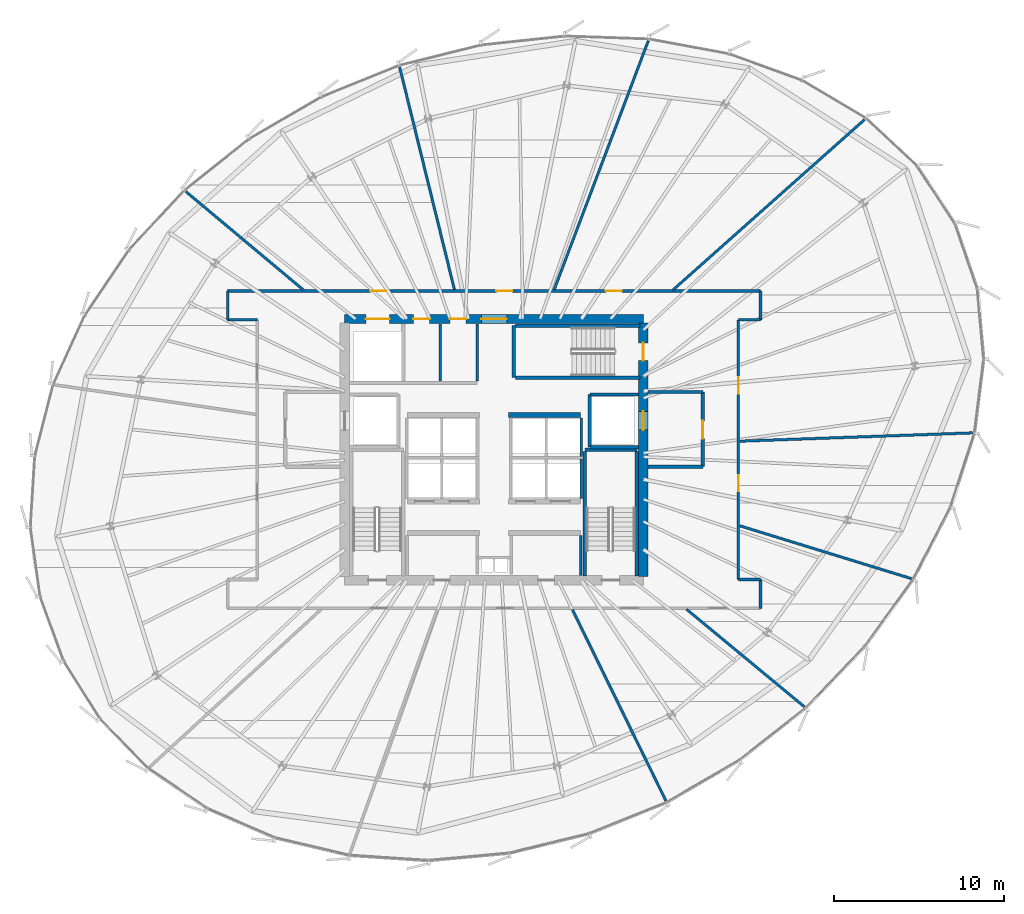
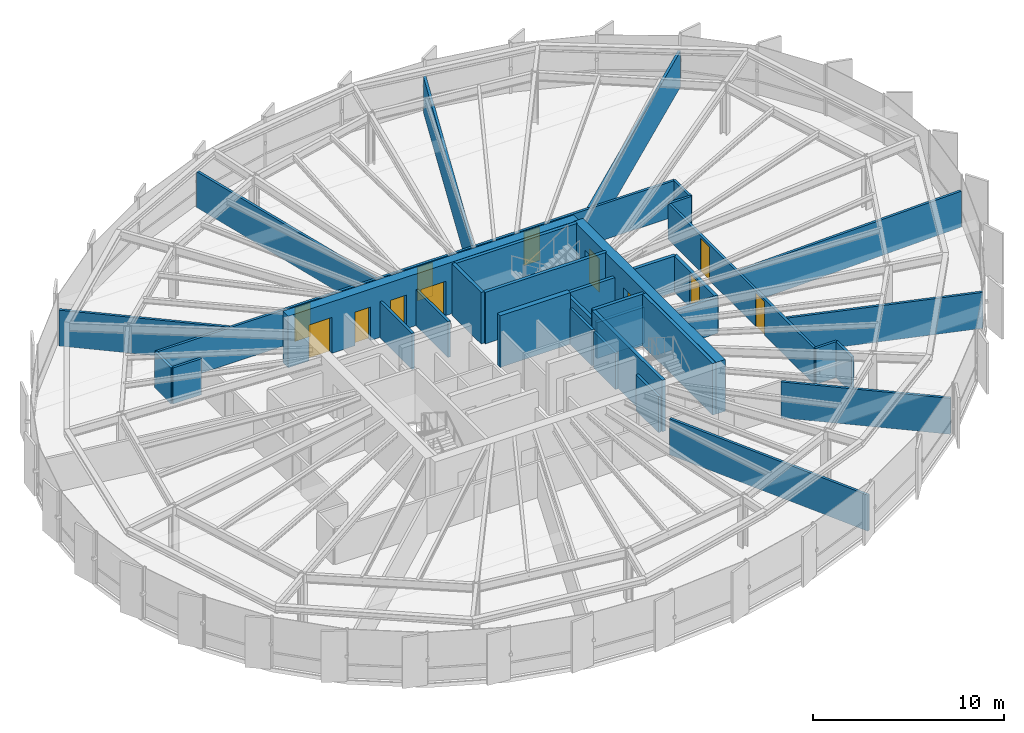
# One storey, part 30 of 35: 36 walls, 12 doors, 12 openings.
"""IFC4 building model written with IfcOpenShell, lengths in metres."""

from ifc_helpers import new_model, si_unit, direction, frame, frame_2d, origin, place, context, subcontext, project, spatial, rectangle, extrude, source, transform, mapped, material, layer, layer_set, type_object, element, fill, save


model = new_model("IFC4")

# Units and contexts
model_context = context("Model", 3, precision=1e-05, world=origin(), true_north=direction((0.0, 1.0)))
body_context = subcontext(model_context, "Body", "Model", "MODEL_VIEW")
ifc_project = project(units=[si_unit("LENGTHUNIT", "METRE"), si_unit("AREAUNIT", "SQUARE_METRE"), si_unit("VOLUMEUNIT", "CUBIC_METRE"), si_unit("PLANEANGLEUNIT", "RADIAN"), si_unit("MASSUNIT", "GRAM", prefix="KILO"), si_unit("THERMODYNAMICTEMPERATUREUNIT", "KELVIN")], contexts=[model_context])

# Site, building, storey
site_placement = place(None, origin())
site = spatial("IfcSite", under=ifc_project, at=site_placement, CompositionType="ELEMENT")
building_placement = place(site_placement, origin())
building = spatial("IfcBuilding", under=site, at=building_placement, Name="Kethvar Cultural Tower", CompositionType="ELEMENT")
storey_placement = place(building_placement, frame((0.0, 0.0, 139.449951171875)))
storey = spatial("IfcBuildingStorey", under=building, at=storey_placement, Name="L35", CompositionType="ELEMENT", Elevation=139.449951171875)

# Wall, openings, doors
ifc_material_1 = material(Name="Concrete C60/75", Category="concrete")
ifc_layer_1 = layer(ifc_material_1, 0.550048828125, Name="Concrete C60/75", Category="concrete")
ifc_layer_set_1 = layer_set([ifc_layer_1], Name="Concrete C60/75 (550 mm)")
wall_type_1 = type_object("IfcWallType", Name="WL-CORE-550", PredefinedType="SHEAR", material=ifc_layer_set_1)
wall_1_placement = place(storey_placement, frame((55.60009765625, 35.5, 0.0), z_axis=(0.0, 0.0, 1.0), x_axis=(-1.0, 0.0, 0.0)))
wall_1 = element("IfcWall", 1, at=wall_1_placement, inside=storey, type_object=wall_type_1, Name="L35 Core Shear Wall N", PredefinedType="SHEAR", context=body_context, shape_type="SweptSolid", body=[
    extrude(rectangle(XDim=17.60009765625, YDim=0.550048828125, at=frame_2d((8.800048828125, 0.0))), origin(), (0.0, 0.0, 1.0), 3.300048828125),
])
opening_1_placement = place(wall_1_placement, frame((8.050048828125, 0.0, 0.0)))
opening_1 = element("IfcOpeningElement", 2, at=opening_1_placement, cuts=wall_1, Name="Opening D-L35-LN", PredefinedType="OPENING", context=body_context, shape_type="SweptSolid", body=[
    extrude(rectangle(XDim=1.5, YDim=2.199951171875, at=frame_2d((0.75, 1.10009765625))), frame((0.0, 0.284912109375, 0.0), z_axis=(0.0, -1.0, 0.0), x_axis=(1.0, 0.0, 0.0)), (0.0, 0.0, 1.0), 0.570068359375),
])
opening_2_placement = place(wall_1_placement, frame((14.949951171875, 0.0, 0.0)))
opening_2 = element("IfcOpeningElement", 3, at=opening_2_placement, cuts=wall_1, Name="Opening LD-G1", PredefinedType="OPENING", context=body_context, shape_type="SweptSolid", body=[
    extrude(rectangle(XDim=1.39990234375, YDim=2.300048828125, at=frame_2d((0.699951171875, 1.14990234375))), frame((0.0, 0.284912109375, 0.0), z_axis=(0.0, -1.0, 0.0), x_axis=(1.0, 0.0, 0.0)), (0.0, 0.0, 1.0), 0.570068359375),
])
opening_3_placement = place(wall_1_placement, frame((12.60009765625, 0.0, 0.0)))
opening_3 = element("IfcOpeningElement", 4, at=opening_3_placement, cuts=wall_1, Name="Opening D-L35-W1", PredefinedType="OPENING", context=body_context, shape_type="SweptSolid", body=[
    extrude(rectangle(XDim=0.949951171875, YDim=2.14990234375, at=frame_2d((0.47509765625, 1.074951171875))), frame((0.0, 0.284912109375, 0.0), z_axis=(0.0, -1.0, 0.0), x_axis=(1.0, 0.0, 0.0)), (0.0, 0.0, 1.0), 0.570068359375),
])
opening_4_placement = place(wall_1_placement, frame((10.449951171875, 0.0, 0.0)))
opening_4 = element("IfcOpeningElement", 5, at=opening_4_placement, cuts=wall_1, Name="Opening D-L35-W2", PredefinedType="OPENING", context=body_context, shape_type="SweptSolid", body=[
    extrude(rectangle(XDim=0.949951171875, YDim=2.14990234375, at=frame_2d((0.47509765625, 1.074951171875))), frame((0.0, 0.284912109375, 0.0), z_axis=(0.0, -1.0, 0.0), x_axis=(1.0, 0.0, 0.0)), (0.0, 0.0, 1.0), 0.570068359375),
])
ifc_material_2 = material(Name="Architectural Oak Timber", Category="wood")
door_type_1 = type_object("IfcDoorType", Name="DR-DBL-FD60-1500", OperationType="DOUBLE_DOOR_SINGLE_SWING", PredefinedType="DOOR", material=ifc_material_2)
shared_shape_1 = source(origin(), body_context, "Body", "SweptSolid", [
    extrude(rectangle(XDim=1.5, YDim=2.199951171875, at=frame_2d((0.75, 1.10009765625))), frame((0.0, 0.02490234375, 0.0), z_axis=(0.0, -1.0, 0.0), x_axis=(1.0, 0.0, 0.0)), (0.0, 0.0, 1.0), 0.050048828125),
])
door_1_placement = place(opening_1_placement, origin())
door_1 = element("IfcDoor", 6, at=door_1_placement, inside=storey, type_object=door_type_1, Name="L35 Lift Lobby Concourse Door", OperationType="DOUBLE_DOOR_SINGLE_SWING", OverallHeight=2.199951171875, OverallWidth=1.5, PredefinedType="DOOR", context=body_context, shape_type="MappedRepresentation", body=[
    mapped(shared_shape_1, transform((0.0, 0.0, 0.0), scale=1.0)),
])
fill(opening_1, door_1)
ifc_material_3 = material(Name="Steel S355J2", Category="steel")
door_type_2 = type_object("IfcDoorType", Name="DR-LIFT-SLIDE-1400", OperationType="NOTDEFINED", PredefinedType="DOOR", material=ifc_material_3)
shared_shape_2 = source(origin(), body_context, "Body", "SweptSolid", [
    extrude(rectangle(XDim=1.39990234375, YDim=2.300048828125, at=frame_2d((0.699951171875, 1.14990234375))), frame((0.0, 0.02490234375, 0.0), z_axis=(0.0, -1.0, 0.0), x_axis=(1.0, 0.0, 0.0)), (0.0, 0.0, 1.0), 0.050048828125),
])
door_2_placement = place(opening_2_placement, origin())
door_2 = element("IfcDoor", 7, at=door_2_placement, inside=storey, type_object=door_type_2, Name="L35 Goods Lift Landing Door", OperationType="SLIDING_TO_RIGHT", OverallHeight=2.300048828125, OverallWidth=1.39990234375, PredefinedType="DOOR", context=body_context, shape_type="MappedRepresentation", body=[
    mapped(shared_shape_2, transform((0.0, 0.0, 0.0), scale=1.0)),
])
fill(opening_2, door_2)
door_type_3 = type_object("IfcDoorType", Name="DR-FD30-950", OperationType="NOTDEFINED", PredefinedType="DOOR", material=ifc_material_2)
shared_shape_3 = source(origin(), body_context, "Body", "SweptSolid", [
    extrude(rectangle(XDim=0.949951171875, YDim=2.14990234375, at=frame_2d((0.47509765625, 1.074951171875))), frame((0.0, 0.02490234375, 0.0), z_axis=(0.0, -1.0, 0.0), x_axis=(1.0, 0.0, 0.0)), (0.0, 0.0, 1.0), 0.050048828125),
])
door_3_placement = place(opening_3_placement, origin())
door_3 = element("IfcDoor", 8, at=door_3_placement, inside=storey, type_object=door_type_3, Name="L35 Accessible Washroom Door", OperationType="SINGLE_SWING_LEFT", OverallHeight=2.14990234375, OverallWidth=0.949951171875, PredefinedType="DOOR", context=body_context, shape_type="MappedRepresentation", body=[
    mapped(shared_shape_3, transform((0.0, 0.0, 0.0), scale=1.0)),
])
fill(opening_3, door_3)
door_4_placement = place(opening_4_placement, origin())
door_4 = element("IfcDoor", 9, at=door_4_placement, inside=storey, type_object=door_type_3, Name="L35 Public Washroom Door", OperationType="SINGLE_SWING_RIGHT", OverallHeight=2.14990234375, OverallWidth=0.949951171875, PredefinedType="DOOR", context=body_context, shape_type="MappedRepresentation", body=[
    mapped(shared_shape_3, transform((0.0, 0.0, 0.0), scale=1.0)),
])
fill(opening_4, door_4)

wall_2_placement = place(storey_placement, frame((55.60009765625, 20.340087890625, 0.0), z_axis=(0.0, 0.0, 1.0), x_axis=(0.0, 1.0, 0.0)))
wall_2 = element("IfcWall", 10, at=wall_2_placement, inside=storey, type_object=wall_type_1, Name="L35 Core Shear Wall E", PredefinedType="SHEAR", context=body_context, shape_type="SweptSolid", body=[
    extrude(rectangle(XDim=14.919921875, YDim=0.550048828125, at=frame_2d((7.4599609375, 0.0))), origin(), (0.0, 0.0, 1.0), 3.300048828125),
])
opening_5_placement = place(wall_2_placement, frame((12.7099609375, 0.0, 0.0)))
opening_5 = element("IfcOpeningElement", 11, at=opening_5_placement, cuts=wall_2, Name="Opening D-L35-S3", PredefinedType="OPENING", context=body_context, shape_type="SweptSolid", body=[
    extrude(rectangle(XDim=1.050048828125, YDim=2.14990234375, at=frame_2d((0.52490234375, 1.074951171875))), frame((0.0, 0.284912109375, 0.0), z_axis=(0.0, -1.0, 0.0), x_axis=(1.0, 0.0, 0.0)), (0.0, 0.0, 1.0), 0.570068359375),
])
opening_6_placement = place(wall_2_placement, frame((8.610107421875, 0.0, 0.0)))
opening_6 = element("IfcOpeningElement", 12, at=opening_6_placement, cuts=wall_2, Name="Opening LD-2", PredefinedType="OPENING", context=body_context, shape_type="SweptSolid", body=[
    extrude(rectangle(XDim=1.10009765625, YDim=2.199951171875, at=frame_2d((0.550048828125, 1.10009765625))), frame((0.0, 0.284912109375, 0.0), z_axis=(0.0, -1.0, 0.0), x_axis=(1.0, 0.0, 0.0)), (0.0, 0.0, 1.0), 0.570068359375),
])
door_type_4 = type_object("IfcDoorType", Name="DR-FD60-1050", OperationType="NOTDEFINED", PredefinedType="DOOR", material=ifc_material_3)
shared_shape_4 = source(origin(), body_context, "Body", "SweptSolid", [
    extrude(rectangle(XDim=1.050048828125, YDim=2.14990234375, at=frame_2d((0.52490234375, 1.074951171875))), frame((0.0, 0.02490234375, 0.0), z_axis=(0.0, -1.0, 0.0), x_axis=(1.0, 0.0, 0.0)), (0.0, 0.0, 1.0), 0.050048828125),
])
door_5_placement = place(opening_5_placement, origin())
door_5 = element("IfcDoor", 13, at=door_5_placement, inside=storey, type_object=door_type_4, Name="L35 Exit Stair 3 Door", OperationType="SINGLE_SWING_LEFT", OverallHeight=2.14990234375, OverallWidth=1.050048828125, PredefinedType="DOOR", context=body_context, shape_type="MappedRepresentation", body=[
    mapped(shared_shape_4, transform((0.0, 0.0, 0.0), scale=1.0)),
])
fill(opening_5, door_5)
door_type_5 = type_object("IfcDoorType", Name="DR-LIFT-SLIDE-1100", OperationType="NOTDEFINED", PredefinedType="DOOR", material=ifc_material_3)
shared_shape_5 = source(origin(), body_context, "Body", "SweptSolid", [
    extrude(rectangle(XDim=1.10009765625, YDim=2.199951171875, at=frame_2d((0.550048828125, 1.10009765625))), frame((0.0, 0.02490234375, 0.0), z_axis=(0.0, -1.0, 0.0), x_axis=(1.0, 0.0, 0.0)), (0.0, 0.0, 1.0), 0.050048828125),
])
door_6_placement = place(opening_6_placement, origin())
door_6 = element("IfcDoor", 14, at=door_6_placement, inside=storey, type_object=door_type_5, Name="L35 Firefighting Lift Landing Door FFL-02", OperationType="SLIDING_TO_RIGHT", OverallHeight=2.199951171875, OverallWidth=1.10009765625, PredefinedType="DOOR", context=body_context, shape_type="MappedRepresentation", body=[
    mapped(shared_shape_5, transform((0.0, 0.0, 0.0), scale=1.0)),
])
fill(opening_6, door_6)

# Walls
ifc_material_4 = material(Name="Gypsum Fireboard Partition")
ifc_layer_2 = layer(ifc_material_4, 0.14990234375, Name="Gypsum Fireboard Partition")
ifc_layer_set_2 = layer_set([ifc_layer_2], Name="Gypsum Fireboard Partition (150 mm)")
wall_type_2 = type_object("IfcWallType", Name="WL-FIRE-150", PredefinedType="PARTITIONING", material=ifc_layer_set_2)
wall_3_placement = place(storey_placement, frame((51.919921875, 20.385009765625, 0.0), z_axis=(0.0, 0.0, 1.0), x_axis=(0.0, 1.0, 0.0)))
element("IfcWall", 15, at=wall_3_placement, inside=storey, type_object=wall_type_2, Name="L35 Reclaimed East Outer Wall", PredefinedType="PARTITIONING", context=body_context, shape_type="SweptSolid", body=[
    extrude(rectangle(XDim=2.344970703125, YDim=0.14990234375, at=frame_2d((1.17236328125, 0.0))), origin(), (0.0, 0.0, 1.0), 2.304931640625),
])
wall_4_placement = place(storey_placement, frame((51.949951171875, 24.919921875, 0.0), z_axis=(0.0, 0.0, 1.0), x_axis=(0.0, 1.0, 0.0)))
element("IfcWall", 16, at=wall_4_placement, inside=storey, type_object=wall_type_2, Name="L35 Mid-Rise Lift Shaft Outer Wall E", PredefinedType="PARTITIONING", context=body_context, shape_type="SweptSolid", body=[
    extrude(rectangle(XDim=2.320068359375, YDim=0.14990234375, at=frame_2d((1.16015625, 0.0))), origin(), (0.0, 0.0, 1.0), 2.304931640625),
])
wall_5_placement = place(storey_placement, frame((51.949951171875, 27.409912109375, 0.0), z_axis=(0.0, 0.0, 1.0), x_axis=(0.0, 1.0, 0.0)))
element("IfcWall", 17, at=wall_5_placement, inside=storey, type_object=wall_type_2, Name="L35 High-Rise Lift Shaft Outer Wall E", PredefinedType="PARTITIONING", context=body_context, shape_type="SweptSolid", body=[
    extrude(rectangle(XDim=2.27001953125, YDim=0.14990234375, at=frame_2d((1.135009765625, 0.0))), origin(), (0.0, 0.0, 1.0), 2.304931640625),
])
wall_6_placement = place(storey_placement, frame((45.800048828125, 31.85009765625, 0.0), z_axis=(0.0, 0.0, 1.0), x_axis=(0.0, 1.0, 0.0)))
element("IfcWall", 18, at=wall_6_placement, inside=storey, type_object=wall_type_2, Name="L35 Sanitary Spine Wall", PredefinedType="PARTITIONING", context=body_context, shape_type="SweptSolid", body=[
    extrude(rectangle(XDim=3.364990234375, YDim=0.14990234375, at=frame_2d((1.6826171875, 0.0))), origin(), (0.0, 0.0, 1.0), 2.304931640625),
])
wall_7_placement = place(storey_placement, frame((62.5, 18.449951171875, 0.0), z_axis=(0.0, 0.0, 1.0), x_axis=(0.0, 1.0, 0.0)))
element("IfcWall", 19, at=wall_7_placement, inside=storey, type_object=wall_type_2, Name="L35 Corridor Rated Wall ES", PredefinedType="PARTITIONING", context=body_context, shape_type="SweptSolid", body=[
    extrude(rectangle(XDim=1.699951171875, YDim=0.14990234375, at=frame_2d((0.85009765625, 0.0))), origin(), (0.0, 0.0, 1.0), 2.304931640625),
])
wall_8_placement = place(storey_placement, frame((62.5, 20.14990234375, 0.0), z_axis=(0.0, 0.0, 1.0), x_axis=(-1.0, 0.0, 0.0)))
element("IfcWall", 20, at=wall_8_placement, inside=storey, type_object=wall_type_2, Name="L35 Corridor Rated Wall EST", PredefinedType="PARTITIONING", context=body_context, shape_type="SweptSolid", body=[
    extrude(rectangle(XDim=1.300048828125, YDim=0.14990234375, at=frame_2d((0.64990234375, 0.0))), origin(), (0.0, 0.0, 1.0), 2.304931640625),
])

# Wall, openings, doors
wall_9_placement = place(storey_placement, frame((61.199951171875, 20.14990234375, 0.0), z_axis=(0.0, 0.0, 1.0), x_axis=(0.0, 1.0, 0.0)))
wall_9 = element("IfcWall", 21, at=wall_9_placement, inside=storey, type_object=wall_type_2, Name="L35 Corridor Rated Wall EM", PredefinedType="PARTITIONING", context=body_context, shape_type="SweptSolid", body=[
    extrude(rectangle(XDim=15.300048828125, YDim=0.14990234375, at=frame_2d((7.64990234375, 0.0))), origin(), (0.0, 0.0, 1.0), 2.304931640625),
])
opening_7_placement = place(wall_9_placement, frame((5.186767578125, 0.0, 0.0)))
opening_7 = element("IfcOpeningElement", 22, at=opening_7_placement, cuts=wall_9, Name="Opening D-L35-05", PredefinedType="OPENING", context=body_context, shape_type="SweptSolid", body=[
    extrude(rectangle(XDim=0.949951171875, YDim=2.14990234375, at=frame_2d((0.47509765625, 1.074951171875))), frame((0.0, 0.0849609375, 0.0), z_axis=(0.0, -1.0, 0.0), x_axis=(1.0, 0.0, 0.0)), (0.0, 0.0, 1.0), 0.169921875),
])
opening_8_placement = place(wall_9_placement, frame((10.95849609375, 0.0, 0.0)))
opening_8 = element("IfcOpeningElement", 23, at=opening_8_placement, cuts=wall_9, Name="Opening D-L35-06", PredefinedType="OPENING", context=body_context, shape_type="SweptSolid", body=[
    extrude(rectangle(XDim=0.949951171875, YDim=2.14990234375, at=frame_2d((0.47509765625, 1.074951171875))), frame((0.0, 0.0849609375, 0.0), z_axis=(0.0, -1.0, 0.0), x_axis=(1.0, 0.0, 0.0)), (0.0, 0.0, 1.0), 0.169921875),
])
door_7_placement = place(opening_7_placement, origin())
door_7 = element("IfcDoor", 24, at=door_7_placement, inside=storey, type_object=door_type_3, Name="L35 Modernist Music Salon 05 Door", OperationType="SINGLE_SWING_RIGHT", OverallHeight=2.14990234375, OverallWidth=0.949951171875, PredefinedType="DOOR", context=body_context, shape_type="MappedRepresentation", body=[
    mapped(shared_shape_3, transform((0.0, 0.0, 0.0), scale=1.0)),
])
fill(opening_7, door_7)
door_8_placement = place(opening_8_placement, origin())
door_8 = element("IfcDoor", 25, at=door_8_placement, inside=storey, type_object=door_type_3, Name="L35 Cultural Event Salon 06 Door", OperationType="SINGLE_SWING_LEFT", OverallHeight=2.14990234375, OverallWidth=0.949951171875, PredefinedType="DOOR", context=body_context, shape_type="MappedRepresentation", body=[
    mapped(shared_shape_3, transform((0.0, 0.0, 0.0), scale=1.0)),
])
fill(opening_8, door_8)

# Walls
wall_10_placement = place(storey_placement, frame((61.199951171875, 35.449951171875, 0.0), z_axis=(0.0, 0.0, 1.0), x_axis=(1.0, 0.0, 0.0)))
element("IfcWall", 26, at=wall_10_placement, inside=storey, type_object=wall_type_2, Name="L35 Corridor Rated Wall ENT", PredefinedType="PARTITIONING", context=body_context, shape_type="SweptSolid", body=[
    extrude(rectangle(XDim=1.300048828125, YDim=0.14990234375, at=frame_2d((0.64990234375, 0.0))), origin(), (0.0, 0.0, 1.0), 2.304931640625),
])
wall_11_placement = place(storey_placement, frame((62.5, 35.449951171875, 0.0), z_axis=(0.0, 0.0, 1.0), x_axis=(0.0, 1.0, 0.0)))
element("IfcWall", 27, at=wall_11_placement, inside=storey, type_object=wall_type_2, Name="L35 Corridor Rated Wall EN", PredefinedType="PARTITIONING", context=body_context, shape_type="SweptSolid", body=[
    extrude(rectangle(XDim=1.699951171875, YDim=0.14990234375, at=frame_2d((0.85009765625, 0.0))), origin(), (0.0, 0.0, 1.0), 2.304931640625),
])

# Wall, openings, doors
wall_12_placement = place(storey_placement, frame((62.5, 37.14990234375, 0.0), z_axis=(0.0, 0.0, 1.0), x_axis=(-1.0, 0.0, 0.0)))
wall_12 = element("IfcWall", 28, at=wall_12_placement, inside=storey, type_object=wall_type_2, Name="L35 Corridor Rated Wall N", PredefinedType="PARTITIONING", context=body_context, shape_type="SweptSolid", body=[
    extrude(rectangle(XDim=31.39990234375, YDim=0.14990234375, at=frame_2d((15.699951171875, 0.0))), origin(), (0.0, 0.0, 1.0), 2.304931640625),
])
opening_9_placement = place(wall_12_placement, frame((8.16259765625, 0.0, 0.0)))
opening_9 = element("IfcOpeningElement", 29, at=opening_9_placement, cuts=wall_12, Name="Opening D-L35-07", PredefinedType="OPENING", context=body_context, shape_type="SweptSolid", body=[
    extrude(rectangle(XDim=0.949951171875, YDim=2.14990234375, at=frame_2d((0.47509765625, 1.074951171875))), frame((0.0, 0.0849609375, 0.0), z_axis=(0.0, -1.0, 0.0), x_axis=(1.0, 0.0, 0.0)), (0.0, 0.0, 1.0), 0.169921875),
])
opening_10_placement = place(wall_12_placement, frame((14.620361328125, 0.0, 0.0)))
opening_10 = element("IfcOpeningElement", 30, at=opening_10_placement, cuts=wall_12, Name="Opening D-L35-08", PredefinedType="OPENING", context=body_context, shape_type="SweptSolid", body=[
    extrude(rectangle(XDim=0.949951171875, YDim=2.14990234375, at=frame_2d((0.47509765625, 1.074951171875))), frame((0.0, 0.0849609375, 0.0), z_axis=(0.0, -1.0, 0.0), x_axis=(1.0, 0.0, 0.0)), (0.0, 0.0, 1.0), 0.169921875),
])
opening_11_placement = place(wall_12_placement, frame((22.039794921875, 0.0, 0.0)))
opening_11 = element("IfcOpeningElement", 31, at=opening_11_placement, cuts=wall_12, Name="Opening D-L35-09", PredefinedType="OPENING", context=body_context, shape_type="SweptSolid", body=[
    extrude(rectangle(XDim=0.949951171875, YDim=2.14990234375, at=frame_2d((0.47509765625, 1.074951171875))), frame((0.0, 0.0849609375, 0.0), z_axis=(0.0, -1.0, 0.0), x_axis=(1.0, 0.0, 0.0)), (0.0, 0.0, 1.0), 0.169921875),
])
door_9_placement = place(opening_9_placement, origin())
door_9 = element("IfcDoor", 32, at=door_9_placement, inside=storey, type_object=door_type_3, Name="L35 Foundation Executive Office 07 Door", OperationType="SINGLE_SWING_RIGHT", OverallHeight=2.14990234375, OverallWidth=0.949951171875, PredefinedType="DOOR", context=body_context, shape_type="MappedRepresentation", body=[
    mapped(shared_shape_3, transform((0.0, 0.0, 0.0), scale=1.0)),
])
fill(opening_9, door_9)
door_10_placement = place(opening_10_placement, origin())
door_10 = element("IfcDoor", 33, at=door_10_placement, inside=storey, type_object=door_type_3, Name="L35 Members' Refreshment Kitchenette 08 Door", OperationType="SINGLE_SWING_LEFT", OverallHeight=2.14990234375, OverallWidth=0.949951171875, PredefinedType="DOOR", context=body_context, shape_type="MappedRepresentation", body=[
    mapped(shared_shape_3, transform((0.0, 0.0, 0.0), scale=1.0)),
])
fill(opening_10, door_10)
door_11_placement = place(opening_11_placement, origin())
door_11 = element("IfcDoor", 34, at=door_11_placement, inside=storey, type_object=door_type_3, Name="L35 Scholars' Study Lounge 09 Door", OperationType="SINGLE_SWING_RIGHT", OverallHeight=2.14990234375, OverallWidth=0.949951171875, PredefinedType="DOOR", context=body_context, shape_type="MappedRepresentation", body=[
    mapped(shared_shape_3, transform((0.0, 0.0, 0.0), scale=1.0)),
])
fill(opening_11, door_11)

# Walls
wall_13_placement = place(storey_placement, frame((31.10009765625, 37.14990234375, 0.0), z_axis=(0.0, 0.0, 1.0), x_axis=(0.0, -1.0, 0.0)))
element("IfcWall", 35, at=wall_13_placement, inside=storey, type_object=wall_type_2, Name="L35 Corridor Rated Wall WN", PredefinedType="PARTITIONING", context=body_context, shape_type="SweptSolid", body=[
    extrude(rectangle(XDim=1.699951171875, YDim=0.14990234375, at=frame_2d((0.85009765625, 0.0))), origin(), (0.0, 0.0, 1.0), 2.304931640625),
])
wall_14_placement = place(storey_placement, frame((31.10009765625, 35.449951171875, 0.0), z_axis=(0.0, 0.0, 1.0), x_axis=(1.0, 0.0, 0.0)))
element("IfcWall", 36, at=wall_14_placement, inside=storey, type_object=wall_type_2, Name="L35 Corridor Rated Wall WNT", PredefinedType="PARTITIONING", context=body_context, shape_type="SweptSolid", body=[
    extrude(rectangle(XDim=1.75, YDim=0.14990234375, at=frame_2d((0.875, 0.0))), origin(), (0.0, 0.0, 1.0), 2.304931640625),
])
ifc_material_5 = material(Name="Concrete C40/50", Category="concrete")
ifc_layer_3 = layer(ifc_material_5, 0.199951171875, Name="Concrete C40/50", Category="concrete")
ifc_layer_set_3 = layer_set([ifc_layer_3], Name="Concrete C40/50 (200 mm)")
wall_type_3 = type_object("IfcWallType", Name="WL-FIRE-200", PredefinedType="PARTITIONING", material=ifc_layer_set_3)
wall_15_placement = place(storey_placement, frame((52.449951171875, 27.949951171875, 0.0), z_axis=(0.0, 0.0, 1.0), x_axis=(0.0, 1.0, 0.0)))
element("IfcWall", 37, at=wall_15_placement, inside=storey, type_object=wall_type_3, Name="L35 FFL-02 Shaft Inner Wall", PredefinedType="PARTITIONING", context=body_context, shape_type="SweptSolid", body=[
    extrude(rectangle(XDim=3.10009765625, YDim=0.199951171875, at=frame_2d((1.550048828125, 0.0))), origin(), (0.0, 0.0, 1.0), 2.304931640625),
])
for number, where, z_axis, x_axis, name in (
    (38, (52.449951171875, 27.949951171875, 0.0), (0.0, 0.0, 1.0), (1.0, 0.0, 0.0), "L35 FFL-02 Shaft South Wall"),
    (39, (52.449951171875, 31.050048828125, 0.0), (0.0, 0.0, 1.0), (1.0, 0.0, 0.0), "L35 FFL-02 Shaft North Wall"),
):
    element("IfcWall", number, at=place(storey_placement, frame(where, z_axis=z_axis, x_axis=x_axis)), inside=storey, type_object=wall_type_3, Name=name, PredefinedType="PARTITIONING", context=body_context, shape_type="SweptSolid", body=[
        extrude(rectangle(XDim=2.864990234375, YDim=0.199951171875, at=frame_2d((1.4326171875, 0.0))), origin(), (0.0, 0.0, 1.0), 2.304931640625),
    ])

# Wall, opening, door
wall_16_placement = place(storey_placement, frame((59.10009765625, 26.800048828125, 0.0), z_axis=(0.0, 0.0, 1.0), x_axis=(0.0, 1.0, 0.0)))
wall_16 = element("IfcWall", 40, at=wall_16_placement, inside=storey, type_object=wall_type_3, Name="L35 Firefighting Lobby 2 Wall", PredefinedType="PARTITIONING", context=body_context, shape_type="SweptSolid", body=[
    extrude(rectangle(XDim=4.39990234375, YDim=0.199951171875, at=frame_2d((2.199951171875, 0.0))), origin(), (0.0, 0.0, 1.0), 2.304931640625),
])
opening_12_placement = place(wall_16_placement, frame((1.64990234375, 0.0, 0.0)))
opening_12 = element("IfcOpeningElement", 41, at=opening_12_placement, cuts=wall_16, Name="Opening D-L35-F2", PredefinedType="OPENING", context=body_context, shape_type="SweptSolid", body=[
    extrude(rectangle(XDim=1.050048828125, YDim=2.14990234375, at=frame_2d((0.52490234375, 1.074951171875))), frame((0.0, 0.10986328125, 0.0), z_axis=(0.0, -1.0, 0.0), x_axis=(1.0, 0.0, 0.0)), (0.0, 0.0, 1.0), 0.219970703125),
])
door_12_placement = place(opening_12_placement, origin())
door_12 = element("IfcDoor", 42, at=door_12_placement, inside=storey, type_object=door_type_4, Name="L35 Firefighting Lobby 2 Fire Door", OperationType="SINGLE_SWING_LEFT", OverallHeight=2.14990234375, OverallWidth=1.050048828125, PredefinedType="DOOR", context=body_context, shape_type="MappedRepresentation", body=[
    mapped(shared_shape_4, transform((0.0, 0.0, 0.0), scale=1.0)),
])
fill(opening_12, door_12)

# Walls
for number, where, z_axis, x_axis, name in (
    (43, (55.885009765625, 26.800048828125, 0.0), (0.0, 0.0, 1.0), (1.0, 0.0, 0.0), "L35 FF Lobby 2 South Wall"),
    (44, (55.885009765625, 31.199951171875, 0.0), (0.0, 0.0, 1.0), (1.0, 0.0, 0.0), "L35 FF Lobby 2 North Wall"),
):
    element("IfcWall", number, at=place(storey_placement, frame(where, z_axis=z_axis, x_axis=x_axis)), inside=storey, type_object=wall_type_3, Name=name, PredefinedType="PARTITIONING", context=body_context, shape_type="SweptSolid", body=[
        extrude(rectangle(XDim=3.215087890625, YDim=0.199951171875, at=frame_2d((1.607421875, 0.0))), origin(), (0.0, 0.0, 1.0), 2.304931640625),
    ])
ifc_material_6 = material(Name="Gypsum Acoustic Partition")
ifc_layer_4 = layer(ifc_material_6, 0.14990234375, Name="Gypsum Acoustic Partition")
ifc_layer_set_4 = layer_set([ifc_layer_4], Name="Gypsum Acoustic Partition (150 mm)")
wall_type_4 = type_object("IfcWallType", Name="WL-PART-150", PredefinedType="PARTITIONING", material=ifc_layer_set_4)
wall_17_placement = place(storey_placement, frame((51.415771484375, 18.378173828125, 0.0), z_axis=(0.0, 0.0, 1.0), x_axis=(0.439375681954, -0.898303406488, 0.0)))
element("IfcWall", 45, at=wall_17_placement, inside=storey, type_object=wall_type_4, Name="L35 Radial Partition Wall 03", PredefinedType="PARTITIONING", context=body_context, shape_type="SweptSolid", body=[
    extrude(rectangle(XDim=12.53662109375, YDim=0.14990234375, at=frame_2d((6.268310546875, 0.0))), origin(), (0.0, 0.0, 1.0), 2.304931640625),
])
wall_18_placement = place(storey_placement, frame((58.1396484375, 18.39892578125, 0.0), z_axis=(0.0, 0.0, 1.0), x_axis=(0.770404878425, -0.637554957081, 0.0)))
element("IfcWall", 46, at=wall_18_placement, inside=storey, type_object=wall_type_4, Name="L35 Radial Partition Wall 04", PredefinedType="PARTITIONING", context=body_context, shape_type="SweptSolid", body=[
    extrude(rectangle(XDim=9.008544921875, YDim=0.14990234375, at=frame_2d((4.50439453125, 0.0))), origin(), (0.0, 0.0, 1.0), 2.304931640625),
])
wall_19_placement = place(storey_placement, frame((61.276611328125, 23.316162109375, 0.0), z_axis=(0.0, 0.0, 1.0), x_axis=(0.955750087547, -0.294179826218, 0.0)))
element("IfcWall", 47, at=wall_19_placement, inside=storey, type_object=wall_type_4, Name="L35 Radial Partition Wall 05", PredefinedType="PARTITIONING", context=body_context, shape_type="SweptSolid", body=[
    extrude(rectangle(XDim=10.587890625, YDim=0.14990234375, at=frame_2d((5.2939453125, 0.0))), origin(), (0.0, 0.0, 1.0), 2.304931640625),
])
wall_20_placement = place(storey_placement, frame((61.27978515625, 28.299560546875, 0.0), z_axis=(0.0, 0.0, 1.0), x_axis=(0.999361789329, 0.035721338578, 0.0)))
element("IfcWall", 48, at=wall_20_placement, inside=storey, type_object=wall_type_4, Name="L35 Radial Partition Wall 06", PredefinedType="PARTITIONING", context=body_context, shape_type="SweptSolid", body=[
    extrude(rectangle(XDim=13.730712890625, YDim=0.14990234375, at=frame_2d((6.865234375, 0.0))), origin(), (0.0, 0.0, 1.0), 2.304931640625),
])
wall_21_placement = place(storey_placement, frame((57.33154296875, 37.203125, 0.0), z_axis=(0.0, 0.0, 1.0), x_axis=(0.747365661558, 0.664412949847, 0.0)))
element("IfcWall", 49, at=wall_21_placement, inside=storey, type_object=wall_type_4, Name="L35 Radial Partition Wall 07", PredefinedType="PARTITIONING", context=body_context, shape_type="SweptSolid", body=[
    extrude(rectangle(XDim=15.118896484375, YDim=0.14990234375, at=frame_2d((7.5595703125, 0.0))), origin(), (0.0, 0.0, 1.0), 2.304931640625),
])
wall_22_placement = place(storey_placement, frame((50.3408203125, 37.224853515625, 0.0), z_axis=(0.0, 0.0, 1.0), x_axis=(0.353744838931, 0.935341963631, 0.0)))
element("IfcWall", 50, at=wall_22_placement, inside=storey, type_object=wall_type_4, Name="L35 Radial Partition Wall 08", PredefinedType="PARTITIONING", context=body_context, shape_type="SweptSolid", body=[
    extrude(rectangle(XDim=15.678955078125, YDim=0.14990234375, at=frame_2d((7.83935546875, 0.0))), origin(), (0.0, 0.0, 1.0), 2.304931640625),
])
wall_23_placement = place(storey_placement, frame((44.466796875, 37.227783203125, 0.0), z_axis=(0.0, 0.0, 1.0), x_axis=(-0.239136633235, 0.97098592711, 0.0)))
element("IfcWall", 51, at=wall_23_placement, inside=storey, type_object=wall_type_4, Name="L35 Radial Partition Wall 09", PredefinedType="PARTITIONING", context=body_context, shape_type="SweptSolid", body=[
    extrude(rectangle(XDim=13.492431640625, YDim=0.14990234375, at=frame_2d((6.74609375, 0.0))), origin(), (0.0, 0.0, 1.0), 2.304931640625),
])
wall_24_placement = place(storey_placement, frame((35.57958984375, 37.201416015625, 0.0), z_axis=(0.0, 0.0, 1.0), x_axis=(-0.766907520693, 0.641757629253, 0.0)))
element("IfcWall", 52, at=wall_24_placement, inside=storey, type_object=wall_type_4, Name="L35 Radial Partition Wall 10", PredefinedType="PARTITIONING", context=body_context, shape_type="SweptSolid", body=[
    extrude(rectangle(XDim=9.0439453125, YDim=0.14990234375, at=frame_2d((4.52197265625, 0.0))), origin(), (0.0, 0.0, 1.0), 2.304931640625),
])
ifc_material_7 = material(Name="Moisture-Resistant Sanitary Chase Wall")
ifc_layer_5 = layer(ifc_material_7, 0.14990234375, Name="Moisture-Resistant Sanitary Chase Wall")
ifc_layer_set_5 = layer_set([ifc_layer_5], Name="Moisture-Resistant Sanitary Chase Wall (150 mm)")
wall_type_5 = type_object("IfcWallType", Name="WL-PLUMB-150", PredefinedType="PLUMBINGWALL", material=ifc_layer_set_5)
wall_25_placement = place(storey_placement, frame((43.6201171875, 31.85009765625, 0.0), z_axis=(0.0, 0.0, 1.0), x_axis=(0.0, 1.0, 0.0)))
element("IfcWall", 53, at=wall_25_placement, inside=storey, type_object=wall_type_5, Name="L35 Sanitary Plumbing Wall", PredefinedType="PLUMBINGWALL", context=body_context, shape_type="SweptSolid", body=[
    extrude(rectangle(XDim=3.364990234375, YDim=0.14990234375, at=frame_2d((1.6826171875, 0.0))), origin(), (0.0, 0.0, 1.0), 2.304931640625),
])
ifc_material_8 = material(Name="Concrete C50/60", Category="concrete")
ifc_layer_6 = layer(ifc_material_8, 0.300048828125, Name="Concrete C50/60", Category="concrete")
ifc_layer_set_6 = layer_set([ifc_layer_6], Name="Concrete C50/60 (300 mm)")
wall_type_6 = type_object("IfcWallType", Name="WL-SHAFT-300", PredefinedType="SHEAR", material=ifc_layer_set_6)
wall_26_placement = place(storey_placement, frame((47.64990234375, 29.85009765625, 0.0), z_axis=(0.0, 0.0, 1.0), x_axis=(1.0, 0.0, 0.0)))
element("IfcWall", 54, at=wall_26_placement, inside=storey, type_object=wall_type_6, Name="L35 Core Lift Spine Wall MID3E", PredefinedType="SHEAR", context=body_context, shape_type="SweptSolid", body=[
    extrude(rectangle(XDim=4.25, YDim=0.300048828125, at=frame_2d((2.125, 0.0))), origin(), (0.0, 0.0, 1.0), 3.300048828125),
])
ifc_layer_7 = layer(ifc_material_8, 0.199951171875, Name="Concrete C50/60", Category="concrete")
ifc_layer_set_7 = layer_set([ifc_layer_7], Name="Concrete C50/60 (200 mm)")
wall_type_7 = type_object("IfcWallType", Name="WL-STSHAFT-200", PredefinedType="SHEAR", material=ifc_layer_set_7)
wall_27_placement = place(storey_placement, frame((52.14990234375, 27.800048828125, 0.0), z_axis=(0.0, 0.0, 1.0), x_axis=(1.0, 0.0, 0.0)))
element("IfcWall", 55, at=wall_27_placement, inside=storey, type_object=wall_type_7, Name="L35 ST-02 Stair Shaft Wall FAR", PredefinedType="SHEAR", context=body_context, shape_type="SweptSolid", body=[
    extrude(rectangle(XDim=3.06005859375, YDim=0.199951171875, at=frame_2d((1.530029296875, 0.0))), origin(), (0.0, 0.0, 1.0), 3.300048828125),
])
for number, where, z_axis, x_axis, name in (
    (56, (55.2099609375, 27.699951171875, 0.0), (0.0, 0.0, 1.0), (0.0, -1.0, 0.0), "L35 ST-02 Stair Shaft Wall LEFT"),
    (57, (52.14990234375, 20.35009765625, 0.0), (0.0, 0.0, 1.0), (0.0, 1.0, 0.0), "L35 ST-02 Stair Shaft Wall RIGHT"),
):
    element("IfcWall", number, at=place(storey_placement, frame(where, z_axis=z_axis, x_axis=x_axis)), inside=storey, type_object=wall_type_7, Name=name, PredefinedType="SHEAR", context=body_context, shape_type="SweptSolid", body=[
        extrude(rectangle(XDim=7.349853515625, YDim=0.199951171875, at=frame_2d((3.6748046875, 0.0))), origin(), (0.0, 0.0, 1.0), 3.300048828125),
    ])
wall_28_placement = place(storey_placement, frame((47.949951171875, 32.050048828125, 0.0), z_axis=(0.0, 0.0, 1.0), x_axis=(0.0, 1.0, 0.0)))
element("IfcWall", 58, at=wall_28_placement, inside=storey, type_object=wall_type_7, Name="L35 ST-03 Stair Shaft Wall FAR", PredefinedType="SHEAR", context=body_context, shape_type="SweptSolid", body=[
    extrude(rectangle(XDim=3.06005859375, YDim=0.199951171875, at=frame_2d((1.530029296875, 0.0))), origin(), (0.0, 0.0, 1.0), 3.300048828125),
])
for number, where, z_axis, x_axis, name in (
    (59, (48.050048828125, 35.110107421875, 0.0), (0.0, 0.0, 1.0), (1.0, 0.0, 0.0), "L35 ST-03 Stair Shaft Wall LEFT"),
    (60, (55.39990234375, 32.050048828125, 0.0), (0.0, 0.0, 1.0), (-1.0, 0.0, 0.0), "L35 ST-03 Stair Shaft Wall RIGHT"),
):
    element("IfcWall", number, at=place(storey_placement, frame(where, z_axis=z_axis, x_axis=x_axis)), inside=storey, type_object=wall_type_7, Name=name, PredefinedType="SHEAR", context=body_context, shape_type="SweptSolid", body=[
        extrude(rectangle(XDim=7.349853515625, YDim=0.199951171875, at=frame_2d((3.6748046875, 0.0))), origin(), (0.0, 0.0, 1.0), 3.300048828125),
    ])

save(model, "model.ifc")
